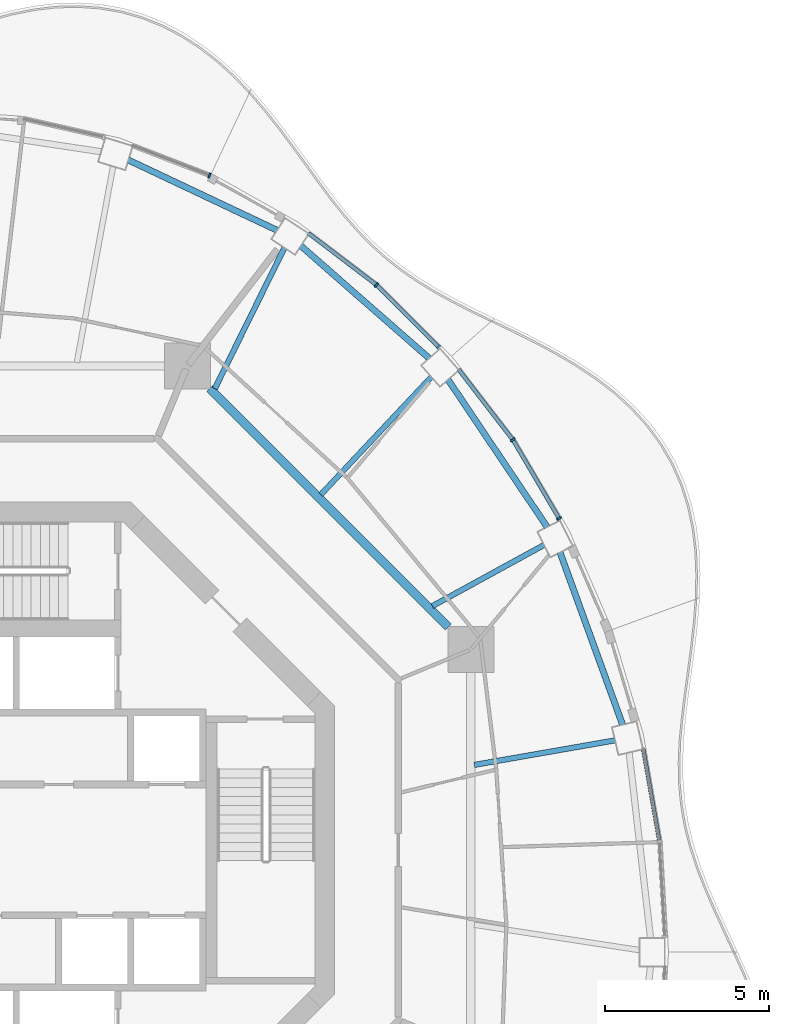
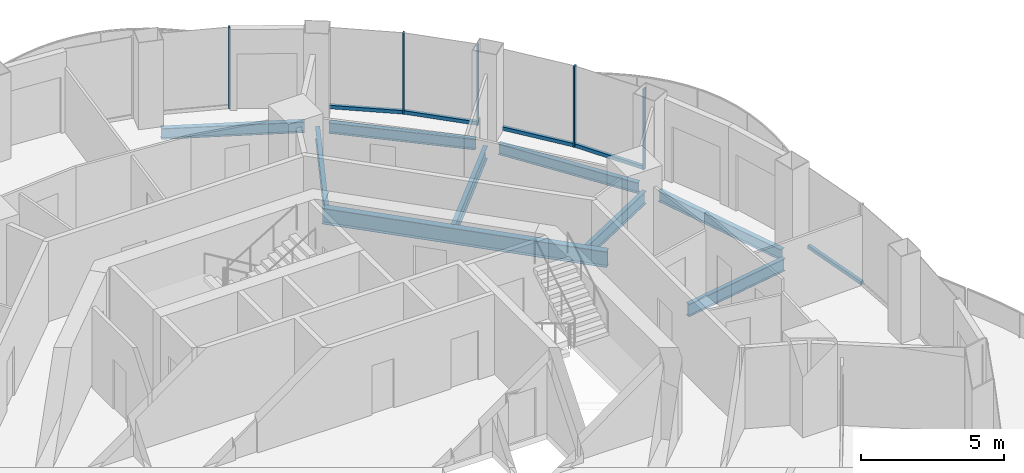
# One storey, part 7 of 17: 10 members, 9 beams, 6 elements without a shape of their own.
"""IFC4 building model written with IfcOpenShell, lengths in metres."""

from ifc_helpers import new_model, si_unit, direction, frame, origin, origin_2d, place, context, subcontext, project, spatial, rectangle, i_section, extrude, material, layer, layer_set, material_profile, profile_set, type_object, element, aggregate, save


model = new_model("IFC4")

# Units and contexts
model_context = context("Model", 3, precision=1e-05, world=origin(), true_north=direction((0.0, 1.0)))
body_context = subcontext(model_context, "Body", "Model", "MODEL_VIEW")
ifc_project = project(units=[si_unit("LENGTHUNIT", "METRE"), si_unit("AREAUNIT", "SQUARE_METRE"), si_unit("VOLUMEUNIT", "CUBIC_METRE"), si_unit("PLANEANGLEUNIT", "RADIAN"), si_unit("MASSUNIT", "GRAM", prefix="KILO")], contexts=[model_context])

# Site, building, storey
site_placement = place(None, origin())
site = spatial("IfcSite", under=ifc_project, at=site_placement, CompositionType="ELEMENT")
building_placement = place(site_placement, origin())
building = spatial("IfcBuilding", under=site, at=building_placement, Name="Nagisa Residences", CompositionType="ELEMENT")
storey_placement = place(building_placement, frame((0.0, 0.0, 291.800048828125)))
storey = spatial("IfcBuildingStorey", under=building, at=storey_placement, Name="L74", CompositionType="ELEMENT", Elevation=291.800048828125)

# Curtain wall, member
ifc_material_1 = material(Name="Concrete-coloured aluminium curtain wall system", Category="concrete")
ifc_layer = layer(ifc_material_1, 0.159912109375)
ifc_layer_set = layer_set([ifc_layer], Name="CW1 CURTAIN WALL")
curtain_wall_type = type_object("IfcCurtainWallType", Name="CW1 CURTAIN WALL", PredefinedType="NOTDEFINED", material=ifc_layer_set)
curtain_wall_1_placement = place(storey_placement, origin())
curtain_wall_1 = element("IfcCurtainWall", 1, at=curtain_wall_1_placement, inside=storey, type_object=curtain_wall_type, Name="cw:CW1:L74:04", PredefinedType="NOTDEFINED")
ifc_material_2 = material(Name="Concrete-coloured aluminium", Category="concrete")
ifc_material_profile_1 = material_profile(ifc_material_2, rectangle(XDim=0.159912109375, YDim=0.06005859375, at=origin_2d()), Name="CW1 MULLION 160x60")
ifc_profile_set_1 = profile_set([ifc_material_profile_1], Name="Concrete-coloured aluminium")
member_type_1 = type_object("IfcMemberType", Name="CW1 MULLION 160x60", PredefinedType="MULLION", material=ifc_profile_set_1)
member_1_placement = place(storey_placement, frame((17.4775390625, 10.125732421875, 0.0), z_axis=(0.0, 0.0, 1.0), x_axis=(-0.862328898214, -0.506348567002, 0.0)))
member_1 = element("IfcMember", 2, at=member_1_placement, type_object=member_type_1, Name="CW1 mullion", PredefinedType="MULLION", context=body_context, shape_type="SweptSolid", body=[
    extrude(rectangle(XDim=0.159912109375, YDim=0.06005859375, at=origin_2d()), origin(), (0.0, 0.0, 1.0), 3.43994140625),
])

curtain_wall_2_placement = place(storey_placement, origin())
curtain_wall_2 = element("IfcCurtainWall", 3, at=curtain_wall_2_placement, inside=storey, type_object=curtain_wall_type, Name="cw:CW1:L74:05", PredefinedType="NOTDEFINED")
member_2_placement = place(storey_placement, frame((16.06396484375, 12.52685546875, 0.0), z_axis=(0.0, 0.0, 1.0), x_axis=(-0.792070340816, -0.610429828235, 0.0)))
member_2 = element("IfcMember", 4, at=member_2_placement, type_object=member_type_1, Name="CW1 mullion", PredefinedType="MULLION", context=body_context, shape_type="SweptSolid", body=[
    extrude(rectangle(XDim=0.159912109375, YDim=0.06005859375, at=origin_2d()), origin(), (0.0, 0.0, 1.0), 3.43994140625),
])

curtain_wall_3_placement = place(storey_placement, origin())
curtain_wall_3 = element("IfcCurtainWall", 5, at=curtain_wall_3_placement, inside=storey, type_object=curtain_wall_type, Name="cw:CW1:L74:06", PredefinedType="NOTDEFINED")
member_3_placement = place(storey_placement, frame((13.798583984375, 15.36572265625, 0.0), z_axis=(0.0, 0.0, 1.0), x_axis=(-0.706376885714, -0.707835924016, 0.0)))
member_3 = element("IfcMember", 6, at=member_3_placement, type_object=member_type_1, Name="CW1 mullion", PredefinedType="MULLION", context=body_context, shape_type="SweptSolid", body=[
    extrude(rectangle(XDim=0.159912109375, YDim=0.06005859375, at=origin_2d()), origin(), (0.0, 0.0, 1.0), 3.43994140625),
])

curtain_wall_4_placement = place(storey_placement, origin())
curtain_wall_4 = element("IfcCurtainWall", 7, at=curtain_wall_4_placement, inside=storey, type_object=curtain_wall_type, Name="cw:CW1:L74:07", PredefinedType="NOTDEFINED")
member_4_placement = place(storey_placement, frame((11.89794921875, 17.2578125, 0.0), z_axis=(0.0, 0.0, 1.0), x_axis=(-0.605255421737, -0.79603132756, 0.0)))
member_4 = element("IfcMember", 8, at=member_4_placement, type_object=member_type_1, Name="CW1 mullion", PredefinedType="MULLION", context=body_context, shape_type="SweptSolid", body=[
    extrude(rectangle(XDim=0.159912109375, YDim=0.06005859375, at=origin_2d()), origin(), (0.0, 0.0, 1.0), 3.43994140625),
])

curtain_wall_5_placement = place(storey_placement, origin())
curtain_wall_5 = element("IfcCurtainWall", 9, at=curtain_wall_5_placement, inside=storey, type_object=curtain_wall_type, Name="cw:CW1:L74:09", PredefinedType="NOTDEFINED")
member_5_placement = place(storey_placement, frame((6.799560546875, 20.59912109375, 0.0), z_axis=(0.0, 0.0, 1.0), x_axis=(-0.360327770268, -0.932825759707, 0.0)))
member_5 = element("IfcMember", 10, at=member_5_placement, type_object=member_type_1, Name="CW1 mullion", PredefinedType="MULLION", context=body_context, shape_type="SweptSolid", body=[
    extrude(rectangle(XDim=0.159912109375, YDim=0.06005859375, at=origin_2d()), origin(), (0.0, 0.0, 1.0), 3.43994140625),
])
aggregate(curtain_wall_5, [member_5])

curtain_wall_6_placement = place(storey_placement, origin())
curtain_wall_6 = element("IfcCurtainWall", 11, at=curtain_wall_6_placement, inside=storey, type_object=curtain_wall_type, Name="cw:CW1:L74:01", PredefinedType="NOTDEFINED")
ifc_material_3 = material(Name="Concrete-coloured aluminium", Category="concrete")
ifc_material_profile_2 = material_profile(ifc_material_3, rectangle(XDim=0.1201171875, YDim=0.14990234375, at=origin_2d()), Name="CW1 TRANSOM 120x150")
ifc_profile_set_2 = profile_set([ifc_material_profile_2], Name="Concrete-coloured aluminium")
member_type_2 = type_object("IfcMemberType", Name="CW1 TRANSOM 120x150", PredefinedType="USERDEFINED", material=ifc_profile_set_2)
member_6_placement = place(storey_placement, frame((20.547607421875, 0.228271484375, 0.074951171875), z_axis=(-0.172196679668, 0.985062588626, 0.0), x_axis=(-0.985062588626, -0.172196679668, 0.0)))
member_6 = element("IfcMember", 12, at=member_6_placement, type_object=member_type_2, Name="CW1 transom", ObjectType="TRANSOM", PredefinedType="USERDEFINED", context=body_context, shape_type="SweptSolid", body=[
    extrude(rectangle(XDim=0.1201171875, YDim=0.14990234375, at=origin_2d()), origin(), (0.0, 0.0, 1.0), 2.90234375),
])
aggregate(curtain_wall_6, [member_6])

# Member
member_7_placement = place(storey_placement, frame((17.49267578125, 10.099853515625, 0.074951171875), z_axis=(-0.506371364425, 0.862315511452, 0.0), x_axis=(-0.862315511452, -0.506371364425, 0.0)))
member_7 = element("IfcMember", 13, at=member_7_placement, type_object=member_type_2, Name="CW1 transom", ObjectType="TRANSOM", PredefinedType="USERDEFINED", context=body_context, shape_type="SweptSolid", body=[
    extrude(rectangle(XDim=0.1201171875, YDim=0.14990234375, at=origin_2d()), origin(), (0.0, 0.0, 1.0), 2.79638671875),
])

aggregate(curtain_wall_1, [member_1, member_7])

member_8_placement = place(storey_placement, frame((16.082275390625, 12.5029296875, 0.074951171875), z_axis=(-0.610432336622, 0.792068407656, 0.0), x_axis=(-0.792068407656, -0.610432336622, 0.0)))
member_8 = element("IfcMember", 14, at=member_8_placement, type_object=member_type_2, Name="CW1 transom", ObjectType="TRANSOM", PredefinedType="USERDEFINED", context=body_context, shape_type="SweptSolid", body=[
    extrude(rectangle(XDim=0.1201171875, YDim=0.14990234375, at=origin_2d()), origin(), (0.0, 0.0, 1.0), 2.74609375),
])

aggregate(curtain_wall_2, [member_2, member_8])

member_9_placement = place(storey_placement, frame((13.81982421875, 15.344482421875, 0.074951171875), z_axis=(-0.707876975297, 0.706335747251, 0.0), x_axis=(-0.706335747251, -0.707876975297, 0.0)))
member_9 = element("IfcMember", 15, at=member_9_placement, type_object=member_type_2, Name="CW1 transom", ObjectType="TRANSOM", PredefinedType="USERDEFINED", context=body_context, shape_type="SweptSolid", body=[
    extrude(rectangle(XDim=0.1201171875, YDim=0.14990234375, at=origin_2d()), origin(), (0.0, 0.0, 1.0), 2.69287109375),
])

aggregate(curtain_wall_3, [member_3, member_9])

member_10_placement = place(storey_placement, frame((11.921875, 17.239501953125, 0.074951171875), z_axis=(-0.796055284084, 0.605223912847, 0.0), x_axis=(-0.605223912847, -0.796055284084, 0.0)))
member_10 = element("IfcMember", 16, at=member_10_placement, type_object=member_type_2, Name="CW1 transom", ObjectType="TRANSOM", PredefinedType="USERDEFINED", context=body_context, shape_type="SweptSolid", body=[
    extrude(rectangle(XDim=0.1201171875, YDim=0.14990234375, at=origin_2d()), origin(), (0.0, 0.0, 1.0), 2.640625),
])

aggregate(curtain_wall_4, [member_4, member_10])

# Beams
ifc_material_4 = material(Name="Steel ASTM A572 Gr 50", Category="steel")
ifc_material_profile_3 = material_profile(ifc_material_4, i_section(OverallWidth=0.2529296875, OverallDepth=0.677978515625, WebThickness=0.01171875, FlangeThickness=0.016357421875, at=origin_2d()), Name="W690x125")
ifc_profile_set_3 = profile_set([ifc_material_profile_3], Name="Steel ASTM A572 Gr 50")
beam_type_1 = type_object("IfcBeamType", Name="Inner ring beam W690x125", PredefinedType="BEAM", material=ifc_profile_set_3)
beam_1_placement = place(storey_placement, frame((14.09619140625, 6.808837890625, -0.59912109375), z_axis=(-0.707106781187, 0.707106781187, 0.0), x_axis=(-0.707106781187, -0.707106781187, 0.0)))
element("IfcBeam", 17, at=beam_1_placement, inside=storey, type_object=beam_type_1, Name="beam:L74:ib1", PredefinedType="BEAM", context=body_context, shape_type="SweptSolid", body=[
    extrude(i_section(OverallWidth=0.2529296875, OverallDepth=0.677978515625, WebThickness=0.01171875, FlangeThickness=0.016357421875, at=origin_2d()), origin(), (0.0, 0.0, 1.0), 10.305908203125),
])
ifc_material_5 = material(Name="Steel ASTM A572 Gr 50", Category="steel")
ifc_material_profile_4 = material_profile(ifc_material_5, i_section(OverallWidth=0.18994140625, OverallDepth=0.45703125, WebThickness=0.009033203125, FlangeThickness=0.014404296875, at=origin_2d()), Name="W460x74")
ifc_profile_set_4 = profile_set([ifc_material_profile_4], Name="Steel ASTM A572 Gr 50")
beam_type_2 = type_object("IfcBeamType", Name="Perimeter ring beam W460x74", PredefinedType="BEAM", material=ifc_profile_set_4)
beam_2_placement = place(storey_placement, frame((19.41845703125, 3.822021484375, -0.488525390625), z_axis=(-0.341211850477, 0.93998642176, 0.0), x_axis=(-0.93998642176, -0.341211850477, 0.0)))
element("IfcBeam", 18, at=beam_2_placement, inside=storey, type_object=beam_type_2, Name="beam:L74:pb02", PredefinedType="BEAM", context=body_context, shape_type="SweptSolid", body=[
    extrude(i_section(OverallWidth=0.18994140625, OverallDepth=0.45703125, WebThickness=0.009033203125, FlangeThickness=0.014404296875, at=origin_2d()), origin(), (0.0, 0.0, 1.0), 5.609619140625),
])
beam_3_placement = place(storey_placement, frame((17.11474609375, 9.862060546875, -0.488525390625), z_axis=(-0.558066424866, 0.829796279479, 0.0), x_axis=(-0.829796279479, -0.558066424866, 0.0)))
element("IfcBeam", 19, at=beam_3_placement, inside=storey, type_object=beam_type_2, Name="beam:L74:pb03", PredefinedType="BEAM", context=body_context, shape_type="SweptSolid", body=[
    extrude(i_section(OverallWidth=0.18994140625, OverallDepth=0.45703125, WebThickness=0.009033203125, FlangeThickness=0.014404296875, at=origin_2d()), origin(), (0.0, 0.0, 1.0), 5.43212890625),
])
beam_4_placement = place(storey_placement, frame((13.514892578125, 15.015380859375, -0.488525390625), z_axis=(-0.752385480596, 0.658723074279, 0.0), x_axis=(-0.658723074279, -0.752385480596, 0.0)))
element("IfcBeam", 20, at=beam_4_placement, inside=storey, type_object=beam_type_2, Name="beam:L74:pb04", PredefinedType="BEAM", context=body_context, shape_type="SweptSolid", body=[
    extrude(i_section(OverallWidth=0.18994140625, OverallDepth=0.45703125, WebThickness=0.009033203125, FlangeThickness=0.014404296875, at=origin_2d()), origin(), (0.0, 0.0, 1.0), 5.220947265625),
])
beam_5_placement = place(storey_placement, frame((8.8671875, 18.926513671875, -0.488525390625), z_axis=(-0.904115893837, 0.427287316113, 0.0), x_axis=(-0.427287316113, -0.904115893837, 0.0)))
element("IfcBeam", 21, at=beam_5_placement, inside=storey, type_object=beam_type_2, Name="beam:L74:pb05", PredefinedType="BEAM", context=body_context, shape_type="SweptSolid", body=[
    extrude(i_section(OverallWidth=0.18994140625, OverallDepth=0.45703125, WebThickness=0.009033203125, FlangeThickness=0.014404296875, at=origin_2d()), origin(), (0.0, 0.0, 1.0), 5.031494140625),
])
ifc_material_6 = material(Name="Steel ASTM A572 Gr 50", Category="steel")
ifc_material_profile_5 = material_profile(ifc_material_6, i_section(OverallWidth=0.166015625, OverallDepth=0.534912109375, WebThickness=0.01025390625, FlangeThickness=0.0166015625, at=origin_2d()), Name="W530x85")
ifc_profile_set_5 = profile_set([ifc_material_profile_5], Name="Steel ASTM A572 Gr 50")
beam_type_3 = type_object("IfcBeamType", Name="Radial beam W530x85", PredefinedType="BEAM", material=ifc_profile_set_5)
beam_6_placement = place(storey_placement, frame((19.191162109375, 3.349365234375, -0.527587890625), z_axis=(-0.985114356534, -0.171900275017, 0.0), x_axis=(0.171900275017, -0.985114356534, 0.0)))
element("IfcBeam", 22, at=beam_6_placement, inside=storey, type_object=beam_type_3, Name="beam:L74:rb02", PredefinedType="BEAM", context=body_context, shape_type="SweptSolid", body=[
    extrude(i_section(OverallWidth=0.166015625, OverallDepth=0.534912109375, WebThickness=0.01025390625, FlangeThickness=0.0166015625, at=origin_2d()), origin(), (0.0, 0.0, 1.0), 4.3671875),
])
beam_7_placement = place(storey_placement, frame((17.02294921875, 9.31982421875, -0.527587890625), z_axis=(-0.877142169669, -0.480230792628, 0.0), x_axis=(0.480230792628, -0.877142169669, 0.0)))
element("IfcBeam", 23, at=beam_7_placement, inside=storey, type_object=beam_type_3, Name="beam:L74:rb03", PredefinedType="BEAM", context=body_context, shape_type="SweptSolid", body=[
    extrude(i_section(OverallWidth=0.166015625, OverallDepth=0.534912109375, WebThickness=0.01025390625, FlangeThickness=0.0166015625, at=origin_2d()), origin(), (0.0, 0.0, 1.0), 3.894287109375),
])
beam_8_placement = place(storey_placement, frame((13.579833984375, 14.451416015625, -0.527587890625), z_axis=(-0.684799688268, -0.728731354442, 0.0), x_axis=(0.728731354442, -0.684799688268, 0.0)))
element("IfcBeam", 24, at=beam_8_placement, inside=storey, type_object=beam_type_3, Name="beam:L74:rb04", PredefinedType="BEAM", context=body_context, shape_type="SweptSolid", body=[
    extrude(i_section(OverallWidth=0.166015625, OverallDepth=0.534912109375, WebThickness=0.01025390625, FlangeThickness=0.0166015625, at=origin_2d()), origin(), (0.0, 0.0, 1.0), 4.934814453125),
])
beam_9_placement = place(storey_placement, frame((9.09033203125, 18.3974609375, -0.527587890625), z_axis=(-0.442997846128, -0.896522675857, 0.0), x_axis=(0.896522675857, -0.442997846128, 0.0)))
element("IfcBeam", 25, at=beam_9_placement, inside=storey, type_object=beam_type_3, Name="beam:L74:rb05", PredefinedType="BEAM", context=body_context, shape_type="SweptSolid", body=[
    extrude(i_section(OverallWidth=0.166015625, OverallDepth=0.534912109375, WebThickness=0.01025390625, FlangeThickness=0.0166015625, at=origin_2d()), origin(), (0.0, 0.0, 1.0), 4.80078125),
])

save(model, "model.ifc")
